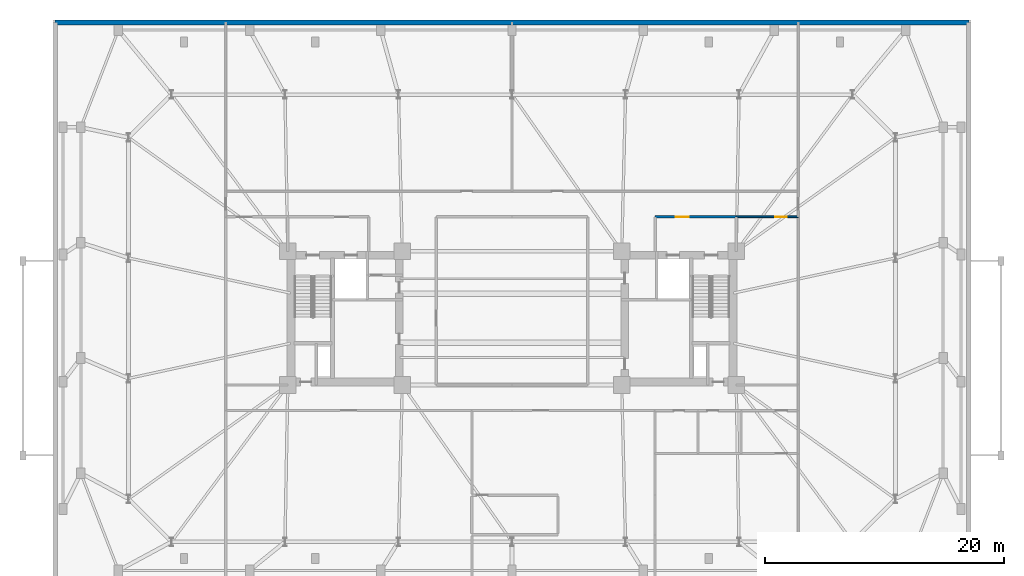
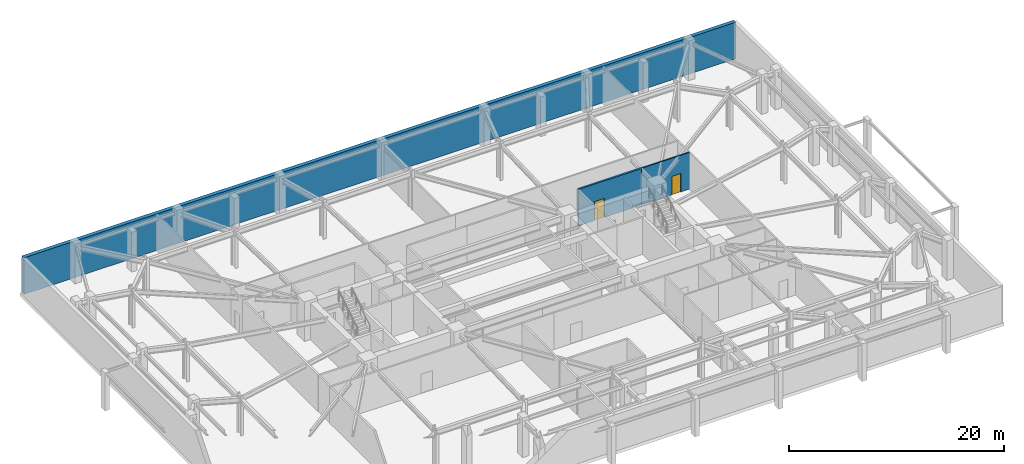
# One storey, part 11 of 14: 3 walls, 2 doors, 2 openings.
"""IFC4 building model written with IfcOpenShell, lengths in metres."""

from ifc_helpers import new_model, si_unit, direction, frame, frame_2d, origin, place, context, subcontext, project, spatial, rectangle, extrude, material, layer, layer_set, type_object, element, fill, save


model = new_model("IFC4")

# Units and contexts
model_context = context("Model", 3, precision=1e-05, world=origin(), true_north=direction((0.0, 1.0)))
body_context = subcontext(model_context, "Body", "Model", "MODEL_VIEW")
ifc_project = project(units=[si_unit("LENGTHUNIT", "METRE"), si_unit("AREAUNIT", "SQUARE_METRE"), si_unit("VOLUMEUNIT", "CUBIC_METRE"), si_unit("PLANEANGLEUNIT", "RADIAN"), si_unit("MASSUNIT", "GRAM", prefix="KILO")], contexts=[model_context])

# Site, building, storey
site_placement = place(None, origin())
site = spatial("IfcSite", under=ifc_project, at=site_placement, CompositionType="ELEMENT")
building_placement = place(site_placement, origin())
building = spatial("IfcBuilding", under=site, at=building_placement, Name="Qobustan Lattice House", CompositionType="ELEMENT")
storey_placement = place(building_placement, frame((0.0, 0.0, -4.5)))
storey = spatial("IfcBuildingStorey", under=building, at=storey_placement, Name="B01", CompositionType="ELEMENT", Elevation=-4.5)

# Wall, opening, door
ifc_material_1 = material(Name="Acoustic twin-stud gypsum partition", Category="gypsum")
ifc_layer_1 = layer(ifc_material_1, 0.14990234375)
ifc_layer_set_1 = layer_set([ifc_layer_1], Name="Acoustic twin-stud gypsum partition")
wall_type_1 = type_object("IfcWallType", Name="WAL-PART-150", PredefinedType="PARTITIONING", material=ifc_layer_set_1)
wall_1_placement = place(storey_placement, frame((24.0, 8.5, 0.0), z_axis=(0.0, 0.0, 1.0), x_axis=(-1.0, 0.0, 0.0)))
wall_1 = element("IfcWall", 1, at=wall_1_placement, inside=storey, type_object=wall_type_1, Name="B01 interior partition 24", PredefinedType="PARTITIONING", context=body_context, shape_type="SweptSolid", body=[
    extrude(rectangle(XDim=5.199951171875, YDim=0.14990234375, at=frame_2d((2.60009765625, 0.0))), origin(), (0.0, 0.0, 1.0), 4.159912109375),
])
opening_1_placement = place(wall_1_placement, frame((0.96630859375, 0.0, 0.0)))
opening_1 = element("IfcOpeningElement", 2, at=opening_1_placement, cuts=wall_1, Name="Opening ID-01", PredefinedType="OPENING", context=body_context, shape_type="SweptSolid", body=[
    extrude(rectangle(XDim=0.949951171875, YDim=2.10009765625, at=frame_2d((0.47509765625, 1.050048828125))), frame((0.0, 0.0849609375, 0.0), z_axis=(0.0, -1.0, 0.0), x_axis=(1.0, 0.0, 0.0)), (0.0, 0.0, 1.0), 0.169921875),
])
ifc_material_2 = material(Name="Persian walnut timber and steel frame door", Category="steel")
door_type_1 = type_object("IfcDoorType", Name="DOR-ROOM-950x2100", OperationType="NOTDEFINED", PredefinedType="DOOR", material=ifc_material_2)
door_1_placement = place(opening_1_placement, origin())
door_1 = element("IfcDoor", 3, at=door_1_placement, inside=storey, type_object=door_type_1, Name="B01 North-east substructure corridor to East linen sorting room door", OperationType="SINGLE_SWING_RIGHT", OverallHeight=2.10009765625, OverallWidth=0.949951171875, PredefinedType="DOOR", context=body_context, shape_type="SweptSolid", body=[
    extrude(rectangle(XDim=0.949951171875, YDim=2.10009765625, at=frame_2d((0.47509765625, 1.050048828125))), frame((0.0, 0.02490234375, 0.0), z_axis=(0.0, -1.0, 0.0), x_axis=(1.0, 0.0, 0.0)), (0.0, 0.0, 1.0), 0.050048828125),
])
fill(opening_1, door_1)

ifc_material_3 = material(Name="Two-hour gypsum fireboard acoustic partition", Category="gypsum")
ifc_layer_2 = layer(ifc_material_3, 0.199951171875)
ifc_layer_set_2 = layer_set([ifc_layer_2], Name="Two-hour gypsum fireboard acoustic partition")
wall_type_2 = type_object("IfcWallType", Name="WAL-PROT-200", PredefinedType="PARTITIONING", material=ifc_layer_set_2)
wall_2_placement = place(storey_placement, frame((18.800048828125, 8.5, 0.0), z_axis=(0.0, 0.0, 1.0), x_axis=(-1.0, 0.0, 0.0)))
wall_2 = element("IfcWall", 4, at=wall_2_placement, inside=storey, type_object=wall_type_2, Name="B01 interior partition 13", PredefinedType="PARTITIONING", context=body_context, shape_type="SweptSolid", body=[
    extrude(rectangle(XDim=6.800048828125, YDim=0.199951171875, at=frame_2d((3.39990234375, 0.0))), origin(), (0.0, 0.0, 1.0), 4.159912109375),
])
opening_2_placement = place(wall_2_placement, frame((3.985107421875, 0.0, 0.0)))
opening_2 = element("IfcOpeningElement", 5, at=opening_2_placement, cuts=wall_2, Name="Opening SD-01", PredefinedType="OPENING", context=body_context, shape_type="SweptSolid", body=[
    extrude(rectangle(XDim=1.10009765625, YDim=2.14990234375, at=frame_2d((0.550048828125, 1.074951171875))), frame((0.0, 0.10986328125, 0.0), z_axis=(0.0, -1.0, 0.0), x_axis=(1.0, 0.0, 0.0)), (0.0, 0.0, 1.0), 0.219970703125),
])
ifc_material_4 = material(Name="Persian walnut timber and steel frame door", Category="steel")
door_type_2 = type_object("IfcDoorType", Name="DOR-STAIR-FD-1100x2150", OperationType="NOTDEFINED", PredefinedType="DOOR", material=ifc_material_4)
door_2_placement = place(opening_2_placement, origin())
door_2 = element("IfcDoor", 6, at=door_2_placement, inside=storey, type_object=door_type_2, Name="B01 East firefighting lift lobby to North-east substructure corridor door", OperationType="SINGLE_SWING_LEFT", OverallHeight=2.14990234375, OverallWidth=1.10009765625, PredefinedType="DOOR", context=body_context, shape_type="SweptSolid", body=[
    extrude(rectangle(XDim=1.10009765625, YDim=2.14990234375, at=frame_2d((0.550048828125, 1.074951171875))), frame((0.0, 0.02490234375, 0.0), z_axis=(0.0, -1.0, 0.0), x_axis=(1.0, 0.0, 0.0)), (0.0, 0.0, 1.0), 0.050048828125),
])
fill(opening_2, door_2)

# Wall
ifc_material_5 = material(Name="Concrete C50/60", Category="concrete")
ifc_layer_3 = layer(ifc_material_5, 0.39990234375)
ifc_layer_set_3 = layer_set([ifc_layer_3], Name="Concrete C50/60")
wall_type_3 = type_object("IfcWallType", Name="WAL-SUB-RET-400", PredefinedType="SOLIDWALL", material=ifc_layer_set_3)
wall_3_placement = place(storey_placement, frame((-38.300048828125, 24.800048828125, 0.0), z_axis=(0.0, 0.0, 1.0), x_axis=(1.0, 0.0, 0.0)))
element("IfcWall", 7, at=wall_3_placement, inside=storey, type_object=wall_type_3, Name="B01 substructure retaining wall 2", PredefinedType="SOLIDWALL", context=body_context, shape_type="SweptSolid", body=[
    extrude(rectangle(XDim=76.60009765625, YDim=0.39990234375, at=frame_2d((38.300048828125, 0.0))), origin(), (0.0, 0.0, 1.0), 4.159912109375),
])

save(model, "model.ifc")
